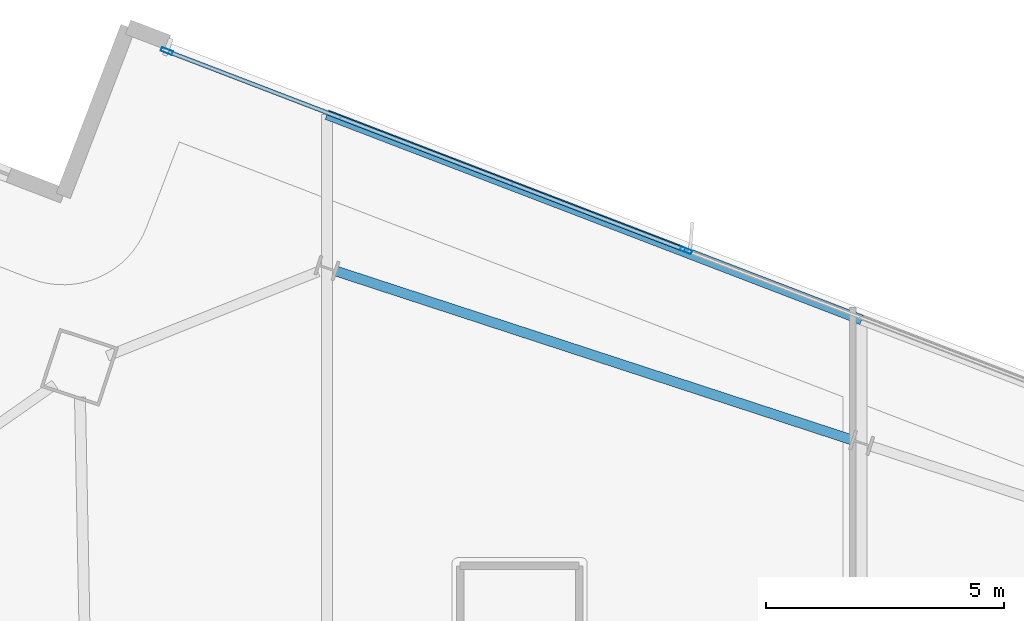
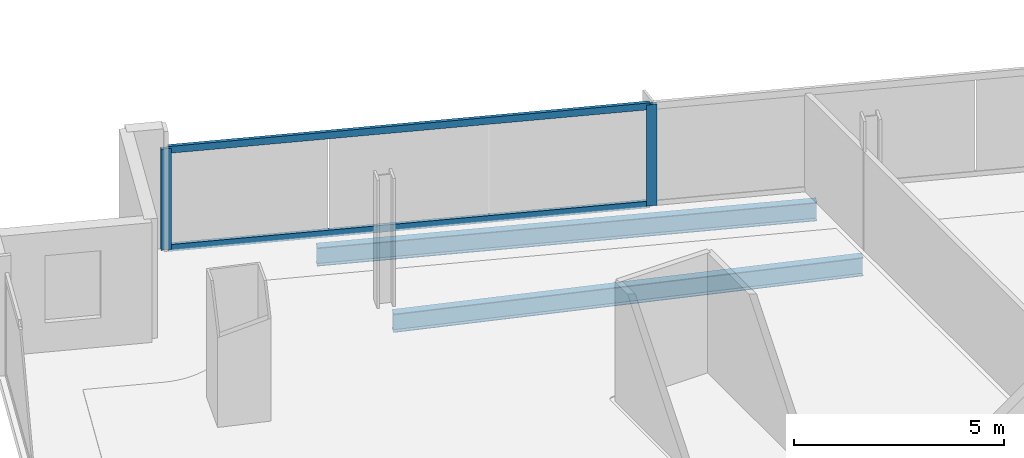
# One storey, part 14 of 27: 4 members, 2 beams, 1 element without a shape of its own.
"""IFC4 building model written with IfcOpenShell, lengths in metres."""

from ifc_helpers import new_model, si_unit, direction, frame, origin, origin_2d, place, context, subcontext, project, spatial, hollow_rectangle, i_section, extrude, material, material_profile, profile_set, type_object, element, aggregate, save


model = new_model("IFC4")

# Units and contexts
model_context = context("Model", 3, precision=1e-05, world=origin(), true_north=direction((0.0, 1.0)))
body_context = subcontext(model_context, "Body", "Model", "MODEL_VIEW")
ifc_project = project(units=[si_unit("LENGTHUNIT", "METRE"), si_unit("AREAUNIT", "SQUARE_METRE"), si_unit("VOLUMEUNIT", "CUBIC_METRE"), si_unit("PLANEANGLEUNIT", "RADIAN"), si_unit("MASSUNIT", "GRAM", prefix="KILO")], contexts=[model_context])

# Site, building, storey
site_placement = place(None, origin())
site = spatial("IfcSite", under=ifc_project, at=site_placement, CompositionType="ELEMENT")
building_placement = place(site_placement, origin())
building = spatial("IfcBuilding", under=site, at=building_placement, Name="Haldenkirk Collegiate Tower", CompositionType="ELEMENT")
storey_placement = place(building_placement, frame((0.0, 0.0, 259.949951171875)))
storey = spatial("IfcBuildingStorey", under=building, at=storey_placement, Name="L65", CompositionType="ELEMENT", Elevation=259.949951171875)

# Beams
ifc_material_1 = material(Name="Steel ASTM A992 Grade 50", Category="steel")
ifc_material_profile_1 = material_profile(ifc_material_1, i_section(OverallWidth=0.2099609375, OverallDepth=0.537109375, WebThickness=0.010986328125, FlangeThickness=0.017333984375, at=origin_2d()), Name="W21X68")
ifc_profile_set_1 = profile_set([ifc_material_profile_1], Name="Steel ASTM A992 Grade 50")
beam_type = type_object("IfcBeamType", Name="BM-SPANDREL-W21X68", PredefinedType="SPANDREL", material=ifc_profile_set_1)
beam_1_placement = place(storey_placement, frame((42.99755859375, 45.54296875, -0.538330078125), z_axis=(-0.950408846531, 0.311003254701, 0.0), x_axis=(-0.311003254701, -0.950408846531, 0.0)))
element("IfcBeam", 1, at=beam_1_placement, inside=storey, type_object=beam_type, Name="L65 perimeter spandrel beam 07", PredefinedType="SPANDREL", context=body_context, shape_type="SweptSolid", body=[
    extrude(i_section(OverallWidth=0.2099609375, OverallDepth=0.537109375, WebThickness=0.010986328125, FlangeThickness=0.017333984375, at=origin_2d()), origin(), (0.0, 0.0, 1.0), 11.421875),
])
beam_2_placement = place(storey_placement, frame((43.18994140625, 48.069091796875, -0.538330078125), z_axis=(-0.933576926157, 0.358377068111, 0.0), x_axis=(-0.358377068111, -0.933576926157, 0.0)))
element("IfcBeam", 2, at=beam_2_placement, inside=storey, type_object=beam_type, Name="L65 outer facade edge beam 2B", PredefinedType="SPANDREL", context=body_context, shape_type="SweptSolid", body=[
    extrude(i_section(OverallWidth=0.2099609375, OverallDepth=0.537109375, WebThickness=0.010986328125, FlangeThickness=0.017333984375, at=origin_2d()), origin(), (0.0, 0.0, 1.0), 12.040283203125),
])

# Curtain wall, members
ifc_material_2 = material(Name="Anodised architectural bronze aluminium", Category="aluminium")
curtain_wall_type = type_object("IfcCurtainWallType", Name="CW-SYS1B-CONVEX-HI", PredefinedType="USERDEFINED", material=ifc_material_2)
curtain_wall_placement = place(storey_placement, origin())
curtain_wall = element("IfcCurtainWall", 3, at=curtain_wall_placement, inside=storey, type_object=curtain_wall_type, Name="L65 Upper tower high-wind convex bronze unitised curtain wall", ObjectType="UNITISED CURTAIN WALL", PredefinedType="USERDEFINED")
ifc_material_profile_2 = material_profile(ifc_material_2, hollow_rectangle(XDim=0.0849609375, YDim=0.25, WallThickness=0.0048828125, at=origin_2d()), Name="CW-MUL-1B")
ifc_profile_set_2 = profile_set([ifc_material_profile_2], Name="Anodised architectural bronze aluminium")
member_type_1 = type_object("IfcMemberType", Name="CW-MUL-1B", PredefinedType="MULLION", material=ifc_profile_set_2)
member_1_placement = place(storey_placement, frame((28.58349609375, 53.718994140625, 0.0), z_axis=(0.0, 0.0, 1.0), x_axis=(0.358368486711, 0.933580220298, 0.0)))
member_1 = element("IfcMember", 4, at=member_1_placement, type_object=member_type_1, Name="CW-1B mullion 1", PredefinedType="MULLION", context=body_context, shape_type="SweptSolid", body=[
    extrude(hollow_rectangle(XDim=0.0849609375, YDim=0.25, WallThickness=0.0048828125, at=origin_2d()), origin(), (0.0, 0.0, 1.0), 2.93798828125),
])
member_2_placement = place(storey_placement, frame((39.497802734375, 49.529296875, 0.0), z_axis=(0.0, 0.0, 1.0), x_axis=(0.358368486711, 0.933580220298, 0.0)))
member_2 = element("IfcMember", 5, at=member_2_placement, type_object=member_type_1, Name="CW-1B mullion 2", PredefinedType="MULLION", context=body_context, shape_type="SweptSolid", body=[
    extrude(hollow_rectangle(XDim=0.0849609375, YDim=0.25, WallThickness=0.0048828125, at=origin_2d()), origin(), (0.0, 0.0, 1.0), 2.93798828125),
])
ifc_material_profile_3 = material_profile(ifc_material_2, hollow_rectangle(XDim=0.0849609375, YDim=0.199951171875, WallThickness=0.0048828125, at=origin_2d()), Name="CW-TRN-1B")
ifc_profile_set_3 = profile_set([ifc_material_profile_3], Name="Anodised architectural bronze aluminium")
member_type_2 = type_object("IfcMemberType", Name="CW-TRN-1B", PredefinedType="USERDEFINED", material=ifc_profile_set_3)
member_3_placement = place(storey_placement, frame((28.623046875, 53.703857421875, 0.04248046875), z_axis=(0.93358232485, -0.358363004127, 0.0), x_axis=(0.358363004127, 0.93358232485, 0.0)))
member_3 = element("IfcMember", 6, at=member_3_placement, type_object=member_type_2, Name="CW-1B transom 1.1", ObjectType="TRANSOM", PredefinedType="USERDEFINED", context=body_context, shape_type="SweptSolid", body=[
    extrude(hollow_rectangle(XDim=0.0849609375, YDim=0.199951171875, WallThickness=0.0048828125, at=origin_2d()), origin(), (0.0, 0.0, 1.0), 11.60595703125),
])
member_4_placement = place(storey_placement, frame((28.623046875, 53.703857421875, 2.8955078125), z_axis=(0.93358232485, -0.358363004127, 0.0), x_axis=(0.358363004127, 0.93358232485, 0.0)))
member_4 = element("IfcMember", 7, at=member_4_placement, type_object=member_type_2, Name="CW-1B transom 1.2", ObjectType="TRANSOM", PredefinedType="USERDEFINED", context=body_context, shape_type="SweptSolid", body=[
    extrude(hollow_rectangle(XDim=0.0849609375, YDim=0.199951171875, WallThickness=0.0048828125, at=origin_2d()), origin(), (0.0, 0.0, 1.0), 11.60595703125),
])
aggregate(curtain_wall, [member_1, member_2, member_3, member_4])

save(model, "model.ifc")
